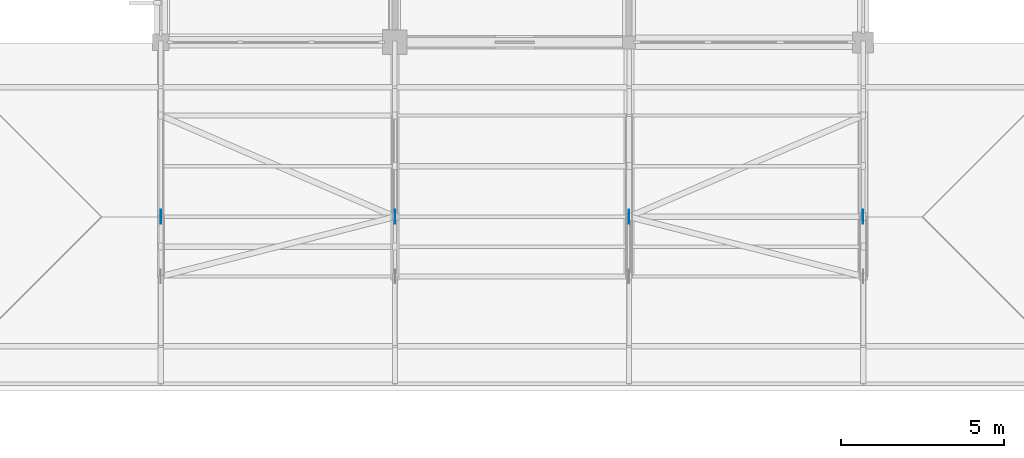
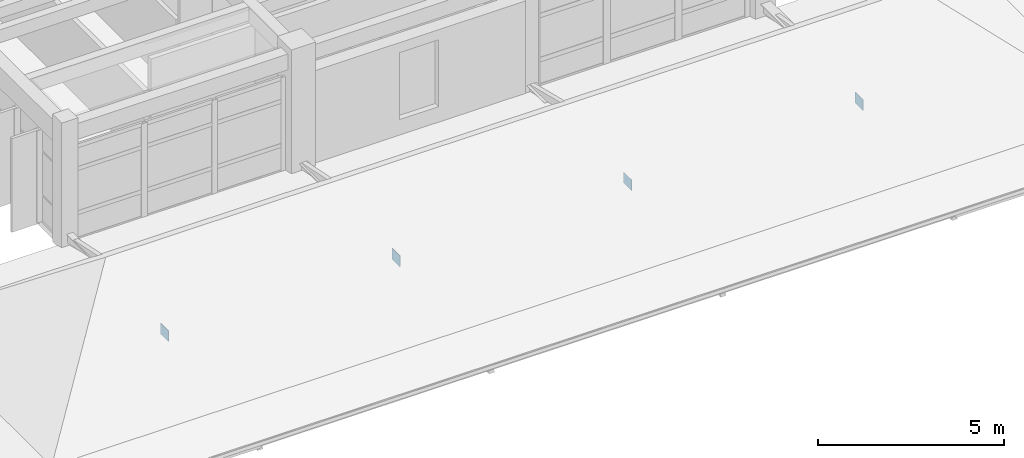
# One storey, part 67 of 100: 4 plates.
"""IFC4 building model written with IfcOpenShell, lengths in metres."""

from ifc_helpers import new_model, si_unit, direction, frame, origin, origin_2d, place, context, subcontext, project, spatial, rectangle, extrude, material, layer, layer_set, type_object, element, save


model = new_model("IFC4")

# Units and contexts
model_context = context("Model", 3, precision=1e-05, world=origin(), true_north=direction((0.0, 1.0)))
body_context = subcontext(model_context, "Body", "Model", "MODEL_VIEW")
ifc_project = project(units=[si_unit("LENGTHUNIT", "METRE"), si_unit("AREAUNIT", "SQUARE_METRE"), si_unit("VOLUMEUNIT", "CUBIC_METRE"), si_unit("PLANEANGLEUNIT", "RADIAN"), si_unit("MASSUNIT", "GRAM", prefix="KILO")], contexts=[model_context])

# Site, building, storey
site_placement = place(None, origin())
site = spatial("IfcSite", under=ifc_project, at=site_placement, CompositionType="ELEMENT")
building_placement = place(site_placement, origin())
building = spatial("IfcBuilding", under=site, at=building_placement, Name="Steenspoor Specialist Clinic", CompositionType="ELEMENT")
storey_placement = place(building_placement, frame((0.0, 0.0, 9.0)))
storey = spatial("IfcBuildingStorey", under=building, at=storey_placement, Name="L02", CompositionType="ELEMENT", Elevation=9.0)

# Plates
ifc_material = material(Name="Steel A572 Grade 50", Category="steel")
ifc_layer_1 = layer(ifc_material, 0.010009765625)
ifc_layer_set_1 = layer_set([ifc_layer_1], Name="Steel A572 Grade 50")
plate_type_1 = type_object("IfcPlateType", Name="PL-CAP-10", PredefinedType="SHEET", material=ifc_layer_set_1)
plate_1_placement = place(storey_placement, frame((88.39990234375, 66.985107421875, 0.07373046875), z_axis=(0.0, 0.0, 1.0), x_axis=(1.0, 0.0, 0.0)))
element("IfcPlate", 1, at=plate_1_placement, inside=storey, type_object=plate_type_1, Name="Truss Gusset Plate GP-10", PredefinedType="SHEET", context=body_context, shape_type="SweptSolid", body=[
    extrude(rectangle(XDim=0.010009765625, YDim=0.419921875, at=origin_2d()), origin(), (0.0, 0.0, 1.0), 0.360107421875),
])
ifc_layer_2 = layer(ifc_material, 0.01611328125)
ifc_layer_set_2 = layer_set([ifc_layer_2], Name="Steel A572 Grade 50")
plate_type_2 = type_object("IfcPlateType", Name="PL-GUS-16", PredefinedType="SHEET", material=ifc_layer_set_2)
for number, where, z_axis, x_axis, name in (
    (2, (74.0, 66.985107421875, 0.15283203125), (0.0, 0.0, 1.0), (1.0, 0.0, 0.0), "Truss Gusset Plate GP-16"),
    (3, (95.60009765625, 66.985107421875, 0.19140625), (0.0, 0.0, 1.0), (1.0, 0.0, 0.0), "Truss Gusset Plate GP-16"),
):
    element("IfcPlate", number, at=place(storey_placement, frame(where, z_axis=z_axis, x_axis=x_axis)), inside=storey, type_object=plate_type_2, Name=name, PredefinedType="SHEET", context=body_context, shape_type="SweptSolid", body=[
        extrude(rectangle(XDim=0.01611328125, YDim=0.419921875, at=origin_2d()), origin(), (0.0, 0.0, 1.0), 0.360107421875),
    ])
ifc_layer_3 = layer(ifc_material, 0.02392578125)
ifc_layer_set_3 = layer_set([ifc_layer_3], Name="Steel A572 Grade 50")
plate_type_3 = type_object("IfcPlateType", Name="PL-GUS-24", PredefinedType="SHEET", material=ifc_layer_set_3)
plate_2_placement = place(storey_placement, frame((81.199951171875, 66.985107421875, 0.1015625), z_axis=(0.0, 0.0, 1.0), x_axis=(1.0, 0.0, 0.0)))
element("IfcPlate", 4, at=plate_2_placement, inside=storey, type_object=plate_type_3, Name="Truss Gusset Plate GP-24", PredefinedType="SHEET", context=body_context, shape_type="SweptSolid", body=[
    extrude(rectangle(XDim=0.02392578125, YDim=0.419921875, at=origin_2d()), origin(), (0.0, 0.0, 1.0), 0.360107421875),
])

save(model, "model.ifc")
